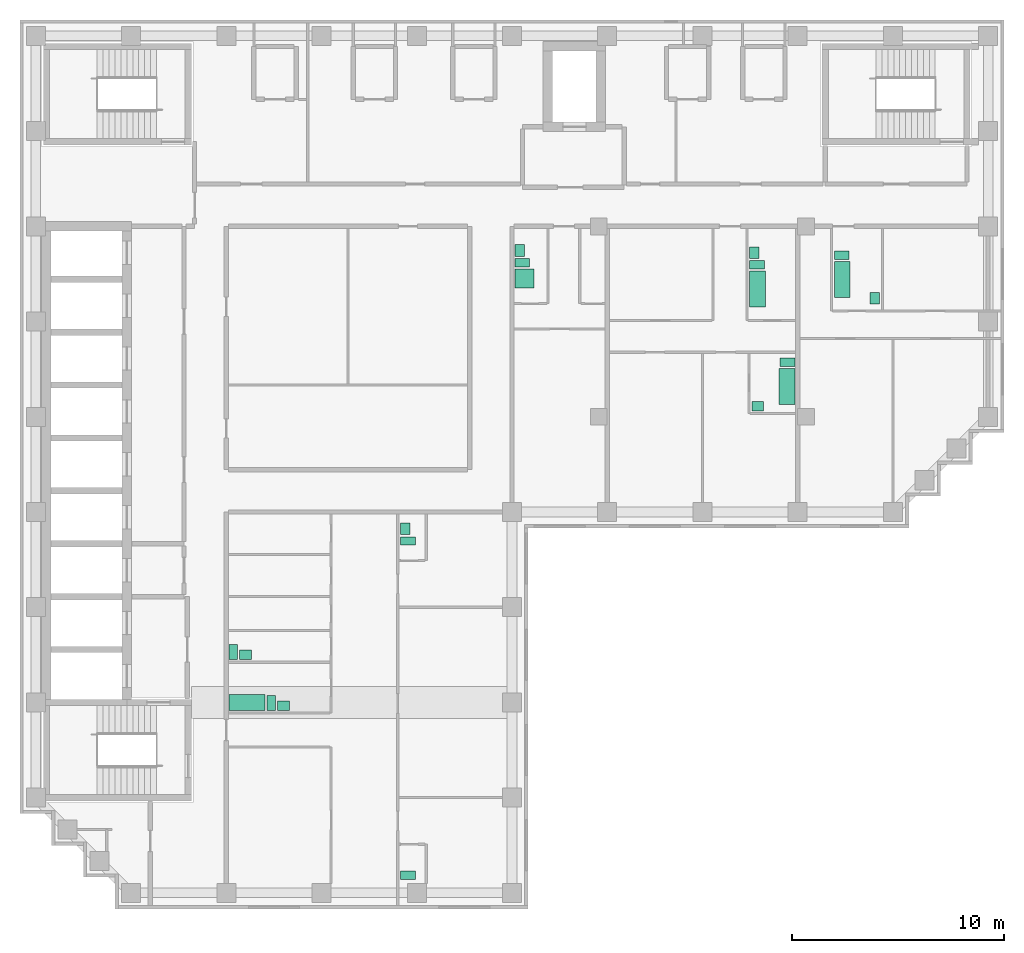
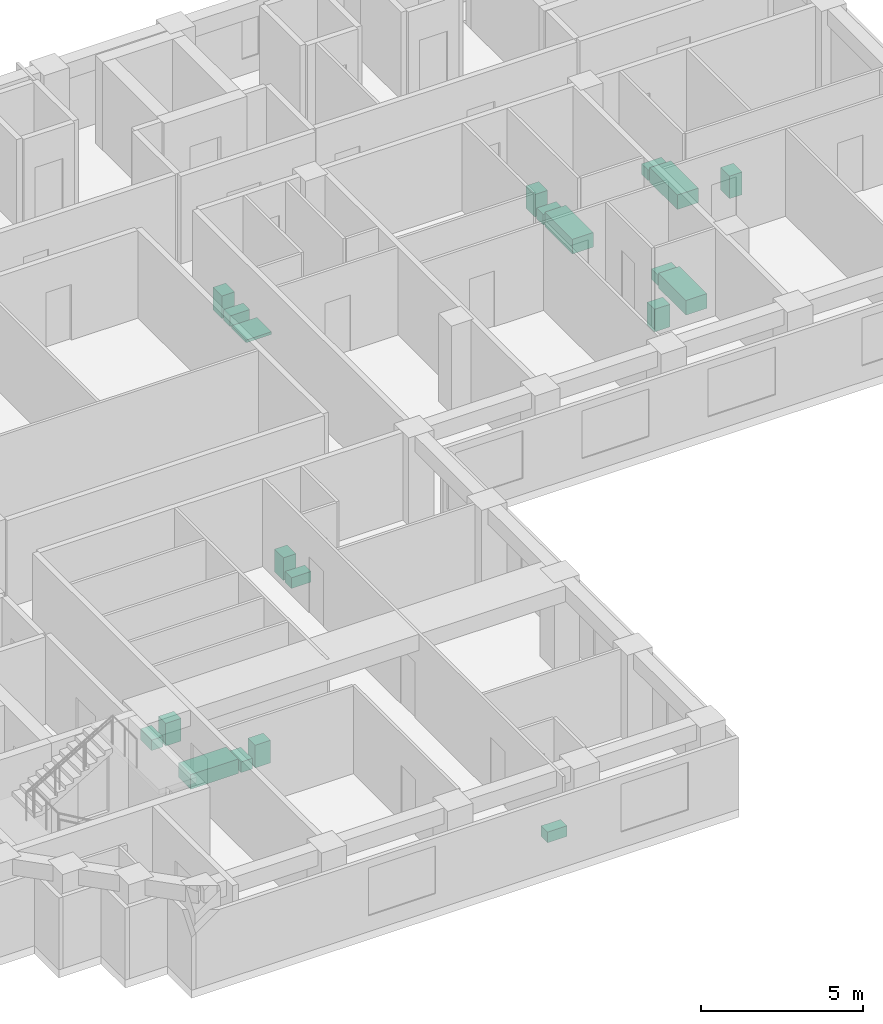
# One storey, part 8 of 8: 20 sanitary terminals.
"""IFC4 building model written with IfcOpenShell, lengths in metres."""

from ifc_helpers import new_model, si_unit, direction, frame, origin, origin_2d, place, context, subcontext, project, spatial, rectangle, extrude, material, type_object, element, save


model = new_model("IFC4")

# Units and contexts
model_context = context("Model", 3, precision=1e-05, world=origin(), true_north=direction((0.0, 1.0)))
body_context = subcontext(model_context, "Body", "Model", "MODEL_VIEW")
ifc_project = project(units=[si_unit("LENGTHUNIT", "METRE"), si_unit("AREAUNIT", "SQUARE_METRE"), si_unit("VOLUMEUNIT", "CUBIC_METRE"), si_unit("PLANEANGLEUNIT", "RADIAN"), si_unit("MASSUNIT", "GRAM", prefix="KILO")], contexts=[model_context])

# Site, building, storey
site_placement = place(None, origin())
site = spatial("IfcSite", under=ifc_project, at=site_placement, CompositionType="ELEMENT")
building_placement = place(site_placement, origin())
building = spatial("IfcBuilding", under=site, at=building_placement, Name="Firuza Court", CompositionType="ELEMENT")
storey_placement = place(building_placement, frame((0.0, 0.0, 251.0)))
storey = spatial("IfcBuildingStorey", under=building, at=storey_placement, Name="L65", CompositionType="ELEMENT", Elevation=251.0)

# Sanitary terminals
ifc_material_1 = material(Name="Vitreous china", Category="ceramic")
sanitary_terminal_type_1 = type_object("IfcSanitaryTerminalType", Name="Fixture Bath", PredefinedType="BATH", material=ifc_material_1)
for number, where, z_axis, x_axis, name in (
    (1, (34.10498046875, 46.530029296875, 0.0), (0.0, 0.0, 1.0), (1.0, 0.0, 0.0), "Bath"),
    (2, (35.4951171875, 41.929931640625, 0.0), (0.0, 0.0, 1.0), (1.0, 0.0, 0.0), "Bath"),
    (3, (38.10498046875, 46.97998046875, 0.0), (0.0, 0.0, 1.0), (1.0, 0.0, 0.0), "Bath"),
):
    element("IfcSanitaryTerminal", number, at=place(storey_placement, frame(where, z_axis=z_axis, x_axis=x_axis)), inside=storey, type_object=sanitary_terminal_type_1, Name=name, PredefinedType="BATH", context=body_context, shape_type="SweptSolid", body=[
        extrude(rectangle(XDim=0.75, YDim=1.699951171875, at=origin_2d()), origin(), (0.0, 0.0, 1.0), 0.550048828125),
    ])
sanitary_terminal_1_placement = place(storey_placement, frame((9.97998046875, 27.0048828125, 0.0), z_axis=(0.0, 0.0, 1.0), x_axis=(1.0, 0.0, 0.0)))
element("IfcSanitaryTerminal", 4, at=sanitary_terminal_1_placement, inside=storey, type_object=sanitary_terminal_type_1, Name="Bath", PredefinedType="BATH", context=body_context, shape_type="SweptSolid", body=[
    extrude(rectangle(XDim=1.699951171875, YDim=0.75, at=origin_2d()), origin(), (0.0, 0.0, 1.0), 0.550048828125),
])
ifc_material_2 = material(Name="Vitreous china", Category="ceramic")
sanitary_terminal_type_2 = type_object("IfcSanitaryTerminalType", Name="Fixture Shower tray", PredefinedType="SHOWER", material=ifc_material_2)
sanitary_terminal_2_placement = place(storey_placement, frame((23.080078125, 47.030029296875, 0.0), z_axis=(0.0, 0.0, 1.0), x_axis=(1.0, 0.0, 0.0)))
element("IfcSanitaryTerminal", 5, at=sanitary_terminal_2_placement, inside=storey, type_object=sanitary_terminal_type_2, Name="Shower tray", PredefinedType="SHOWER", context=body_context, shape_type="SweptSolid", body=[
    extrude(rectangle(XDim=0.89990234375, YDim=0.89990234375, at=origin_2d()), origin(), (0.0, 0.0, 1.0), 0.10009765625),
])
ifc_material_3 = material(Name="Vitreous china", Category="ceramic")
sanitary_terminal_type_3 = type_object("IfcSanitaryTerminalType", Name="Fixture WC pan", PredefinedType="TOILETPAN", material=ifc_material_3)
for number, where, z_axis, x_axis, name in (
    (6, (22.97998046875, 47.780029296875, 0.0), (0.0, 0.0, 1.0), (1.0, 0.0, 0.0), "WC pan"),
    (7, (34.080078125, 47.679931640625, 0.0), (0.0, 0.0, 1.0), (1.0, 0.0, 0.0), "WC pan"),
    (8, (35.52001953125, 43.080078125, 0.0), (0.0, 0.0, 1.0), (1.0, 0.0, 0.0), "WC pan"),
    (9, (38.080078125, 48.1298828125, 0.0), (0.0, 0.0, 1.0), (1.0, 0.0, 0.0), "WC pan"),
):
    element("IfcSanitaryTerminal", number, at=place(storey_placement, frame(where, z_axis=z_axis, x_axis=x_axis)), inside=storey, type_object=sanitary_terminal_type_3, Name=name, PredefinedType="TOILETPAN", context=body_context, shape_type="SweptSolid", body=[
        extrude(rectangle(XDim=0.699951171875, YDim=0.39990234375, at=origin_2d()), origin(), (0.0, 0.0, 1.0), 0.39990234375),
    ])
for number, where, z_axis, x_axis, name in (
    (10, (11.1298828125, 26.97998046875, 0.0), (0.0, 0.0, 1.0), (1.0, 0.0, 0.0), "WC pan"),
    (11, (9.330078125, 29.3798828125, 0.0), (0.0, 0.0, 1.0), (1.0, 0.0, 0.0), "WC pan"),
):
    element("IfcSanitaryTerminal", number, at=place(storey_placement, frame(where, z_axis=z_axis, x_axis=x_axis)), inside=storey, type_object=sanitary_terminal_type_3, Name=name, PredefinedType="TOILETPAN", context=body_context, shape_type="SweptSolid", body=[
        extrude(rectangle(XDim=0.39990234375, YDim=0.699951171875, at=origin_2d()), origin(), (0.0, 0.0, 1.0), 0.39990234375),
    ])
for number, where, z_axis, x_axis, name in (
    (12, (17.580078125, 18.830078125, 0.0), (0.0, 0.0, 1.0), (1.0, 0.0, 0.0), "WC pan"),
    (13, (17.580078125, 34.6298828125, 0.0), (0.0, 0.0, 1.0), (1.0, 0.0, 0.0), "WC pan"),
):
    element("IfcSanitaryTerminal", number, at=place(storey_placement, frame(where, z_axis=z_axis, x_axis=x_axis)), inside=storey, type_object=sanitary_terminal_type_3, Name=name, PredefinedType="TOILETPAN", context=body_context, shape_type="SweptSolid", body=[
        extrude(rectangle(XDim=0.699951171875, YDim=0.39990234375, at=origin_2d()), origin(), (0.0, 0.0, 1.0), 0.39990234375),
    ])
ifc_material_4 = material(Name="Vitreous china", Category="ceramic")
sanitary_terminal_type_4 = type_object("IfcSanitaryTerminalType", Name="Fixture Washbasin", PredefinedType="WASHHANDBASIN", material=ifc_material_4)
for number, where, z_axis, x_axis, name in (
    (14, (22.85498046875, 48.35498046875, 0.0), (0.0, 0.0, 1.0), (1.0, 0.0, 0.0), "Washbasin"),
    (15, (33.955078125, 48.2548828125, 0.0), (0.0, 0.0, 1.0), (1.0, 0.0, 0.0), "Washbasin"),
):
    element("IfcSanitaryTerminal", number, at=place(storey_placement, frame(where, z_axis=z_axis, x_axis=x_axis)), inside=storey, type_object=sanitary_terminal_type_4, Name=name, PredefinedType="WASHHANDBASIN", context=body_context, shape_type="SweptSolid", body=[
        extrude(rectangle(XDim=0.449951171875, YDim=0.550048828125, at=origin_2d()), origin(), (0.0, 0.0, 1.0), 0.85009765625),
    ])
sanitary_terminal_3_placement = place(storey_placement, frame((34.10498046875, 41.0048828125, 0.0), z_axis=(0.0, 0.0, 1.0), x_axis=(1.0, 0.0, 0.0)))
element("IfcSanitaryTerminal", 16, at=sanitary_terminal_3_placement, inside=storey, type_object=sanitary_terminal_type_4, Name="Washbasin", PredefinedType="WASHHANDBASIN", context=body_context, shape_type="SweptSolid", body=[
    extrude(rectangle(XDim=0.550048828125, YDim=0.449951171875, at=origin_2d()), origin(), (0.0, 0.0, 1.0), 0.85009765625),
])
sanitary_terminal_4_placement = place(storey_placement, frame((39.64501953125, 46.10498046875, 0.0), z_axis=(0.0, 0.0, 1.0), x_axis=(1.0, 0.0, 0.0)))
element("IfcSanitaryTerminal", 17, at=sanitary_terminal_4_placement, inside=storey, type_object=sanitary_terminal_type_4, Name="Washbasin", PredefinedType="WASHHANDBASIN", context=body_context, shape_type="SweptSolid", body=[
    extrude(rectangle(XDim=0.449951171875, YDim=0.550048828125, at=origin_2d()), origin(), (0.0, 0.0, 1.0), 0.85009765625),
])
for number, where, z_axis, x_axis, name in (
    (18, (11.705078125, 26.85498046875, 0.0), (0.0, 0.0, 1.0), (1.0, 0.0, 0.0), "Washbasin"),
    (19, (9.905029296875, 29.2548828125, 0.0), (0.0, 0.0, 1.0), (1.0, 0.0, 0.0), "Washbasin"),
):
    element("IfcSanitaryTerminal", number, at=place(storey_placement, frame(where, z_axis=z_axis, x_axis=x_axis)), inside=storey, type_object=sanitary_terminal_type_4, Name=name, PredefinedType="WASHHANDBASIN", context=body_context, shape_type="SweptSolid", body=[
        extrude(rectangle(XDim=0.550048828125, YDim=0.449951171875, at=origin_2d()), origin(), (0.0, 0.0, 1.0), 0.85009765625),
    ])
sanitary_terminal_5_placement = place(storey_placement, frame((17.455078125, 35.205078125, 0.0), z_axis=(0.0, 0.0, 1.0), x_axis=(1.0, 0.0, 0.0)))
element("IfcSanitaryTerminal", 20, at=sanitary_terminal_5_placement, inside=storey, type_object=sanitary_terminal_type_4, Name="Washbasin", PredefinedType="WASHHANDBASIN", context=body_context, shape_type="SweptSolid", body=[
    extrude(rectangle(XDim=0.449951171875, YDim=0.550048828125, at=origin_2d()), origin(), (0.0, 0.0, 1.0), 0.85009765625),
])

save(model, "model.ifc")
